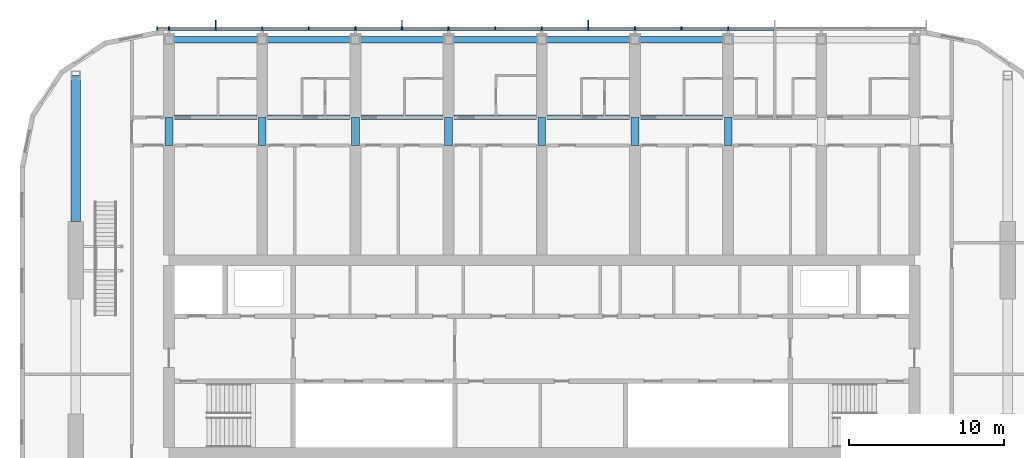
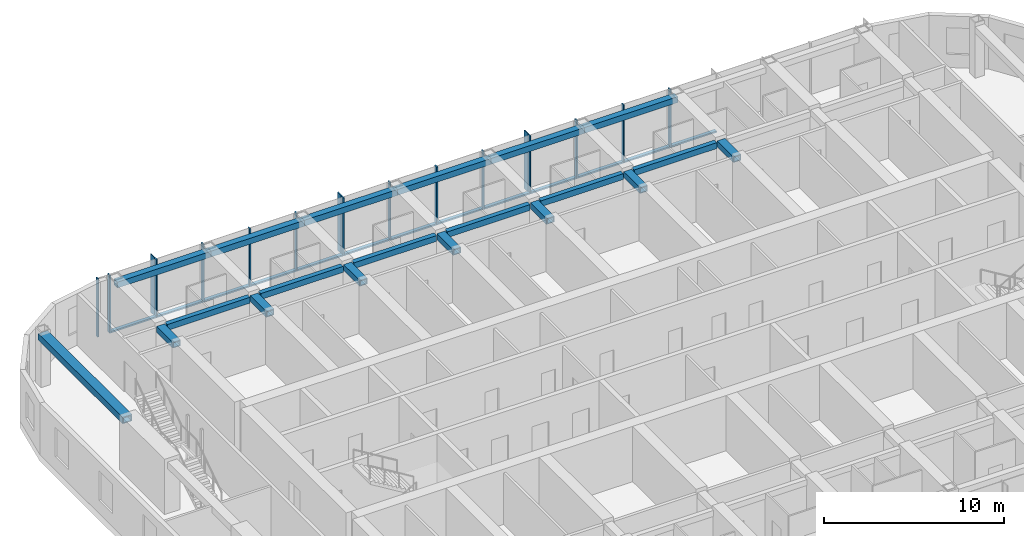
# One storey, part 6 of 28: 30 members, 20 beams, 1 element without a shape of its own.
"""IFC4 building model written with IfcOpenShell, lengths in metres."""

from ifc_helpers import new_model, si_unit, direction, frame, origin, origin_2d, place, context, subcontext, project, spatial, rectangle, hollow_rectangle, extrude, material, material_profile, profile_set, type_object, element, aggregate, save


model = new_model("IFC4")

# Units and contexts
model_context = context("Model", 3, precision=1e-05, world=origin(), true_north=direction((0.0, 1.0)))
body_context = subcontext(model_context, "Body", "Model", "MODEL_VIEW")
ifc_project = project(units=[si_unit("LENGTHUNIT", "METRE"), si_unit("AREAUNIT", "SQUARE_METRE"), si_unit("VOLUMEUNIT", "CUBIC_METRE"), si_unit("PLANEANGLEUNIT", "RADIAN"), si_unit("MASSUNIT", "GRAM", prefix="KILO")], contexts=[model_context])

# Site, building, storey
site_placement = place(None, origin())
site = spatial("IfcSite", under=ifc_project, at=site_placement, CompositionType="ELEMENT")
building_placement = place(site_placement, origin())
building = spatial("IfcBuilding", under=site, at=building_placement, Name="Orbita Commons", CompositionType="ELEMENT")
storey_placement = place(building_placement, frame((0.0, 0.0, 216.550048828125)))
storey = spatial("IfcBuildingStorey", under=building, at=storey_placement, Name="L53", CompositionType="ELEMENT", Elevation=216.550048828125)

# Curtain wall, members
ifc_material_1 = material(Name="Anodised aluminium frame, pale silver", Category="aluminium")
curtain_wall_type = type_object("IfcCurtainWallType", Name="Unitised curtain wall CW-U, full-height vision", PredefinedType="NOTDEFINED", material=ifc_material_1)
curtain_wall_placement = place(storey_placement, origin())
curtain_wall = element("IfcCurtainWall", 1, at=curtain_wall_placement, inside=storey, type_object=curtain_wall_type, Name="Curtain wall north L53", PredefinedType="NOTDEFINED")
ifc_material_2 = material(Name="Anodised aluminium, pale silver", Category="aluminium")
ifc_material_profile_1 = material_profile(ifc_material_2, rectangle(XDim=0.080078125, YDim=0.219970703125, at=origin_2d()), Name="AL 80x220")
ifc_profile_set_1 = profile_set([ifc_material_profile_1], Name="Anodised aluminium, pale silver")
member_type_1 = type_object("IfcMemberType", Name="Curtain wall mullion 80x220", PredefinedType="MULLION", material=ifc_profile_set_1)
member_1_placement = place(storey_placement, frame((54.0, 53.110107421875, -0.449951171875), z_axis=(0.0, 0.0, 1.0), x_axis=(-1.0, 0.0, 0.0)))
member_1 = element("IfcMember", 2, at=member_1_placement, type_object=member_type_1, Name="Mullion 6 CW-L53-N", PredefinedType="MULLION", context=body_context, shape_type="SweptSolid", body=[
    extrude(rectangle(XDim=0.080078125, YDim=0.219970703125, at=origin_2d()), origin(), (0.0, 0.0, 1.0), 3.949951171875),
])
member_2_placement = place(storey_placement, frame((51.0, 53.110107421875, -0.449951171875), z_axis=(0.0, 0.0, 1.0), x_axis=(-1.0, 0.0, 0.0)))
member_2 = element("IfcMember", 3, at=member_2_placement, type_object=member_type_1, Name="Mullion 7 CW-L53-N", PredefinedType="MULLION", context=body_context, shape_type="SweptSolid", body=[
    extrude(rectangle(XDim=0.080078125, YDim=0.219970703125, at=origin_2d()), origin(), (0.0, 0.0, 1.0), 3.949951171875),
])
member_3_placement = place(storey_placement, frame((48.0, 53.110107421875, -0.449951171875), z_axis=(0.0, 0.0, 1.0), x_axis=(-1.0, 0.0, 0.0)))
member_3 = element("IfcMember", 4, at=member_3_placement, type_object=member_type_1, Name="Mullion 8 CW-L53-N", PredefinedType="MULLION", context=body_context, shape_type="SweptSolid", body=[
    extrude(rectangle(XDim=0.080078125, YDim=0.219970703125, at=origin_2d()), origin(), (0.0, 0.0, 1.0), 3.949951171875),
])
member_4_placement = place(storey_placement, frame((45.0, 53.110107421875, -0.449951171875), z_axis=(0.0, 0.0, 1.0), x_axis=(-1.0, 0.0, 0.0)))
member_4 = element("IfcMember", 5, at=member_4_placement, type_object=member_type_1, Name="Mullion 9 CW-L53-N", PredefinedType="MULLION", context=body_context, shape_type="SweptSolid", body=[
    extrude(rectangle(XDim=0.080078125, YDim=0.219970703125, at=origin_2d()), origin(), (0.0, 0.0, 1.0), 3.949951171875),
])
member_5_placement = place(storey_placement, frame((42.0, 53.110107421875, -0.449951171875), z_axis=(0.0, 0.0, 1.0), x_axis=(-1.0, 0.0, 0.0)))
member_5 = element("IfcMember", 6, at=member_5_placement, type_object=member_type_1, Name="Mullion 10 CW-L53-N", PredefinedType="MULLION", context=body_context, shape_type="SweptSolid", body=[
    extrude(rectangle(XDim=0.080078125, YDim=0.219970703125, at=origin_2d()), origin(), (0.0, 0.0, 1.0), 3.949951171875),
])
member_6_placement = place(storey_placement, frame((39.0, 53.110107421875, -0.449951171875), z_axis=(0.0, 0.0, 1.0), x_axis=(-1.0, 0.0, 0.0)))
member_6 = element("IfcMember", 7, at=member_6_placement, type_object=member_type_1, Name="Mullion 11 CW-L53-N", PredefinedType="MULLION", context=body_context, shape_type="SweptSolid", body=[
    extrude(rectangle(XDim=0.080078125, YDim=0.219970703125, at=origin_2d()), origin(), (0.0, 0.0, 1.0), 3.949951171875),
])
member_7_placement = place(storey_placement, frame((36.0, 53.110107421875, -0.449951171875), z_axis=(0.0, 0.0, 1.0), x_axis=(-1.0, 0.0, 0.0)))
member_7 = element("IfcMember", 8, at=member_7_placement, type_object=member_type_1, Name="Mullion 12 CW-L53-N", PredefinedType="MULLION", context=body_context, shape_type="SweptSolid", body=[
    extrude(rectangle(XDim=0.080078125, YDim=0.219970703125, at=origin_2d()), origin(), (0.0, 0.0, 1.0), 3.949951171875),
])
member_8_placement = place(storey_placement, frame((33.0, 53.110107421875, -0.449951171875), z_axis=(0.0, 0.0, 1.0), x_axis=(-1.0, 0.0, 0.0)))
member_8 = element("IfcMember", 9, at=member_8_placement, type_object=member_type_1, Name="Mullion 13 CW-L53-N", PredefinedType="MULLION", context=body_context, shape_type="SweptSolid", body=[
    extrude(rectangle(XDim=0.080078125, YDim=0.219970703125, at=origin_2d()), origin(), (0.0, 0.0, 1.0), 3.949951171875),
])
member_9_placement = place(storey_placement, frame((30.0, 53.110107421875, -0.449951171875), z_axis=(0.0, 0.0, 1.0), x_axis=(-1.0, 0.0, 0.0)))
member_9 = element("IfcMember", 10, at=member_9_placement, type_object=member_type_1, Name="Mullion 14 CW-L53-N", PredefinedType="MULLION", context=body_context, shape_type="SweptSolid", body=[
    extrude(rectangle(XDim=0.080078125, YDim=0.219970703125, at=origin_2d()), origin(), (0.0, 0.0, 1.0), 3.949951171875),
])
member_10_placement = place(storey_placement, frame((27.0, 53.110107421875, -0.449951171875), z_axis=(0.0, 0.0, 1.0), x_axis=(-1.0, 0.0, 0.0)))
member_10 = element("IfcMember", 11, at=member_10_placement, type_object=member_type_1, Name="Mullion 15 CW-L53-N", PredefinedType="MULLION", context=body_context, shape_type="SweptSolid", body=[
    extrude(rectangle(XDim=0.080078125, YDim=0.219970703125, at=origin_2d()), origin(), (0.0, 0.0, 1.0), 3.949951171875),
])
member_11_placement = place(storey_placement, frame((24.0, 53.110107421875, -0.449951171875), z_axis=(0.0, 0.0, 1.0), x_axis=(-1.0, 0.0, 0.0)))
member_11 = element("IfcMember", 12, at=member_11_placement, type_object=member_type_1, Name="Mullion 16 CW-L53-N", PredefinedType="MULLION", context=body_context, shape_type="SweptSolid", body=[
    extrude(rectangle(XDim=0.080078125, YDim=0.219970703125, at=origin_2d()), origin(), (0.0, 0.0, 1.0), 3.949951171875),
])
member_12_placement = place(storey_placement, frame((21.0, 53.110107421875, -0.449951171875), z_axis=(0.0, 0.0, 1.0), x_axis=(-1.0, 0.0, 0.0)))
member_12 = element("IfcMember", 13, at=member_12_placement, type_object=member_type_1, Name="Mullion 17 CW-L53-N", PredefinedType="MULLION", context=body_context, shape_type="SweptSolid", body=[
    extrude(rectangle(XDim=0.080078125, YDim=0.219970703125, at=origin_2d()), origin(), (0.0, 0.0, 1.0), 3.949951171875),
])
member_13_placement = place(storey_placement, frame((18.0, 53.110107421875, -0.449951171875), z_axis=(0.0, 0.0, 1.0), x_axis=(-1.0, 0.0, 0.0)))
member_13 = element("IfcMember", 14, at=member_13_placement, type_object=member_type_1, Name="Mullion 18 CW-L53-N", PredefinedType="MULLION", context=body_context, shape_type="SweptSolid", body=[
    extrude(rectangle(XDim=0.080078125, YDim=0.219970703125, at=origin_2d()), origin(), (0.0, 0.0, 1.0), 3.949951171875),
])
member_14_placement = place(storey_placement, frame((17.239990234375, 53.110107421875, -0.449951171875), z_axis=(0.0, 0.0, 1.0), x_axis=(-1.0, 0.0, 0.0)))
member_14 = element("IfcMember", 15, at=member_14_placement, type_object=member_type_1, Name="Mullion 19 CW-L53-N", PredefinedType="MULLION", context=body_context, shape_type="SweptSolid", body=[
    extrude(rectangle(XDim=0.080078125, YDim=0.219970703125, at=origin_2d()), origin(), (0.0, 0.0, 1.0), 3.949951171875),
])
ifc_material_3 = material(Name="Anodised aluminium, pale silver", Category="aluminium")
ifc_material_profile_2 = material_profile(ifc_material_3, rectangle(XDim=0.219970703125, YDim=0.10009765625, at=origin_2d()), Name="AL 220x100")
ifc_profile_set_2 = profile_set([ifc_material_profile_2], Name="Anodised aluminium, pale silver")
member_type_2 = type_object("IfcMemberType", Name="Curtain wall stack transom 220x100", PredefinedType="USERDEFINED", material=ifc_profile_set_2)
member_15_placement = place(storey_placement, frame((56.9599609375, 53.110107421875, -0.400146484375), z_axis=(-1.0, 0.0, 0.0), x_axis=(0.0, -1.0, 0.0)))
member_15 = element("IfcMember", 16, at=member_15_placement, type_object=member_type_2, Name="Transom 5.1 CW-L53-N", ObjectType="TRANSOM", PredefinedType="USERDEFINED", context=body_context, shape_type="SweptSolid", body=[
    extrude(rectangle(XDim=0.219970703125, YDim=0.10009765625, at=origin_2d()), origin(), (0.0, 0.0, 1.0), 2.919921875),
])
member_16_placement = place(storey_placement, frame((53.9599609375, 53.110107421875, -0.400146484375), z_axis=(-1.0, 0.0, 0.0), x_axis=(0.0, -1.0, 0.0)))
member_16 = element("IfcMember", 17, at=member_16_placement, type_object=member_type_2, Name="Transom 6.1 CW-L53-N", ObjectType="TRANSOM", PredefinedType="USERDEFINED", context=body_context, shape_type="SweptSolid", body=[
    extrude(rectangle(XDim=0.219970703125, YDim=0.10009765625, at=origin_2d()), origin(), (0.0, 0.0, 1.0), 2.919921875),
])
member_17_placement = place(storey_placement, frame((50.9599609375, 53.110107421875, -0.400146484375), z_axis=(-1.0, 0.0, 0.0), x_axis=(0.0, -1.0, 0.0)))
member_17 = element("IfcMember", 18, at=member_17_placement, type_object=member_type_2, Name="Transom 7.1 CW-L53-N", ObjectType="TRANSOM", PredefinedType="USERDEFINED", context=body_context, shape_type="SweptSolid", body=[
    extrude(rectangle(XDim=0.219970703125, YDim=0.10009765625, at=origin_2d()), origin(), (0.0, 0.0, 1.0), 2.919921875),
])
member_18_placement = place(storey_placement, frame((47.9599609375, 53.110107421875, -0.400146484375), z_axis=(-1.0, 0.0, 0.0), x_axis=(0.0, -1.0, 0.0)))
member_18 = element("IfcMember", 19, at=member_18_placement, type_object=member_type_2, Name="Transom 8.1 CW-L53-N", ObjectType="TRANSOM", PredefinedType="USERDEFINED", context=body_context, shape_type="SweptSolid", body=[
    extrude(rectangle(XDim=0.219970703125, YDim=0.10009765625, at=origin_2d()), origin(), (0.0, 0.0, 1.0), 2.919921875),
])
member_19_placement = place(storey_placement, frame((44.9599609375, 53.110107421875, -0.400146484375), z_axis=(-1.0, 0.0, 0.0), x_axis=(0.0, -1.0, 0.0)))
member_19 = element("IfcMember", 20, at=member_19_placement, type_object=member_type_2, Name="Transom 9.1 CW-L53-N", ObjectType="TRANSOM", PredefinedType="USERDEFINED", context=body_context, shape_type="SweptSolid", body=[
    extrude(rectangle(XDim=0.219970703125, YDim=0.10009765625, at=origin_2d()), origin(), (0.0, 0.0, 1.0), 2.919921875),
])
member_20_placement = place(storey_placement, frame((41.9599609375, 53.110107421875, -0.400146484375), z_axis=(-1.0, 0.0, 0.0), x_axis=(0.0, -1.0, 0.0)))
member_20 = element("IfcMember", 21, at=member_20_placement, type_object=member_type_2, Name="Transom 10.1 CW-L53-N", ObjectType="TRANSOM", PredefinedType="USERDEFINED", context=body_context, shape_type="SweptSolid", body=[
    extrude(rectangle(XDim=0.219970703125, YDim=0.10009765625, at=origin_2d()), origin(), (0.0, 0.0, 1.0), 2.919921875),
])
member_21_placement = place(storey_placement, frame((38.9599609375, 53.110107421875, -0.400146484375), z_axis=(-1.0, 0.0, 0.0), x_axis=(0.0, -1.0, 0.0)))
member_21 = element("IfcMember", 22, at=member_21_placement, type_object=member_type_2, Name="Transom 11.1 CW-L53-N", ObjectType="TRANSOM", PredefinedType="USERDEFINED", context=body_context, shape_type="SweptSolid", body=[
    extrude(rectangle(XDim=0.219970703125, YDim=0.10009765625, at=origin_2d()), origin(), (0.0, 0.0, 1.0), 2.919921875),
])
member_22_placement = place(storey_placement, frame((35.9599609375, 53.110107421875, -0.400146484375), z_axis=(-1.0, 0.0, 0.0), x_axis=(0.0, -1.0, 0.0)))
member_22 = element("IfcMember", 23, at=member_22_placement, type_object=member_type_2, Name="Transom 12.1 CW-L53-N", ObjectType="TRANSOM", PredefinedType="USERDEFINED", context=body_context, shape_type="SweptSolid", body=[
    extrude(rectangle(XDim=0.219970703125, YDim=0.10009765625, at=origin_2d()), origin(), (0.0, 0.0, 1.0), 2.919921875),
])
member_23_placement = place(storey_placement, frame((32.9599609375, 53.110107421875, -0.400146484375), z_axis=(-1.0, 0.0, 0.0), x_axis=(0.0, -1.0, 0.0)))
member_23 = element("IfcMember", 24, at=member_23_placement, type_object=member_type_2, Name="Transom 13.1 CW-L53-N", ObjectType="TRANSOM", PredefinedType="USERDEFINED", context=body_context, shape_type="SweptSolid", body=[
    extrude(rectangle(XDim=0.219970703125, YDim=0.10009765625, at=origin_2d()), origin(), (0.0, 0.0, 1.0), 2.919921875),
])
member_24_placement = place(storey_placement, frame((29.9599609375, 53.110107421875, -0.400146484375), z_axis=(-1.0, 0.0, 0.0), x_axis=(0.0, -1.0, 0.0)))
member_24 = element("IfcMember", 25, at=member_24_placement, type_object=member_type_2, Name="Transom 14.1 CW-L53-N", ObjectType="TRANSOM", PredefinedType="USERDEFINED", context=body_context, shape_type="SweptSolid", body=[
    extrude(rectangle(XDim=0.219970703125, YDim=0.10009765625, at=origin_2d()), origin(), (0.0, 0.0, 1.0), 2.919921875),
])
member_25_placement = place(storey_placement, frame((26.9599609375, 53.110107421875, -0.400146484375), z_axis=(-1.0, 0.0, 0.0), x_axis=(0.0, -1.0, 0.0)))
member_25 = element("IfcMember", 26, at=member_25_placement, type_object=member_type_2, Name="Transom 15.1 CW-L53-N", ObjectType="TRANSOM", PredefinedType="USERDEFINED", context=body_context, shape_type="SweptSolid", body=[
    extrude(rectangle(XDim=0.219970703125, YDim=0.10009765625, at=origin_2d()), origin(), (0.0, 0.0, 1.0), 2.919921875),
])
member_26_placement = place(storey_placement, frame((23.9599609375, 53.110107421875, -0.400146484375), z_axis=(-1.0, 0.0, 0.0), x_axis=(0.0, -1.0, 0.0)))
member_26 = element("IfcMember", 27, at=member_26_placement, type_object=member_type_2, Name="Transom 16.1 CW-L53-N", ObjectType="TRANSOM", PredefinedType="USERDEFINED", context=body_context, shape_type="SweptSolid", body=[
    extrude(rectangle(XDim=0.219970703125, YDim=0.10009765625, at=origin_2d()), origin(), (0.0, 0.0, 1.0), 2.919921875),
])
member_27_placement = place(storey_placement, frame((20.9599609375, 53.110107421875, -0.400146484375), z_axis=(-1.0, 0.0, 0.0), x_axis=(0.0, -1.0, 0.0)))
member_27 = element("IfcMember", 28, at=member_27_placement, type_object=member_type_2, Name="Transom 17.1 CW-L53-N", ObjectType="TRANSOM", PredefinedType="USERDEFINED", context=body_context, shape_type="SweptSolid", body=[
    extrude(rectangle(XDim=0.219970703125, YDim=0.10009765625, at=origin_2d()), origin(), (0.0, 0.0, 1.0), 2.919921875),
])

# Beams
ifc_material_4 = material(Name="Steel ASTM A572 Gr 50 welded plate", Category="steel")
ifc_material_profile_3 = material_profile(ifc_material_4, hollow_rectangle(XDim=0.300048828125, YDim=0.39990234375, WallThickness=0.0400390625, at=origin_2d()), Name="BOX 400x300x40")
ifc_profile_set_3 = profile_set([ifc_material_profile_3], Name="Steel ASTM A572 Gr 50 welded plate")
beam_type_1 = type_object("IfcBeamType", Name="Steel corridor link BOX 400x300x40", PredefinedType="BEAM", material=ifc_profile_set_3)
for number, where, z_axis, x_axis, name in (
    (29, (18.35009765625, 47.39990234375, 3.300048828125), (1.0, 0.0, 0.0), (0.0, 1.0, 0.0), "Corridor beam NB 4-5 L53"),
    (30, (24.35009765625, 47.39990234375, 3.300048828125), (1.0, 0.0, 0.0), (0.0, 1.0, 0.0), "Corridor beam NB 5-6 L53"),
    (31, (30.35009765625, 47.39990234375, 3.300048828125), (1.0, 0.0, 0.0), (0.0, 1.0, 0.0), "Corridor beam NB 6-7 L53"),
    (32, (36.35009765625, 47.39990234375, 3.300048828125), (1.0, 0.0, 0.0), (0.0, 1.0, 0.0), "Corridor beam NB 7-8 L53"),
    (33, (42.35009765625, 47.39990234375, 3.300048828125), (1.0, 0.0, 0.0), (0.0, 1.0, 0.0), "Corridor beam NB 8-9 L53"),
    (34, (48.35009765625, 47.39990234375, 3.300048828125), (1.0, 0.0, 0.0), (0.0, 1.0, 0.0), "Corridor beam NB 9-10 L53"),
):
    element("IfcBeam", number, at=place(storey_placement, frame(where, z_axis=z_axis, x_axis=x_axis)), inside=storey, type_object=beam_type_1, Name=name, PredefinedType="BEAM", context=body_context, shape_type="SweptSolid", body=[
        extrude(hollow_rectangle(XDim=0.300048828125, YDim=0.39990234375, WallThickness=0.0400390625, at=origin_2d()), origin(), (0.0, 0.0, 1.0), 5.2998046875),
    ])
ifc_material_5 = material(Name="Steel ASTM A572 Gr 50 welded plate", Category="steel")
ifc_material_profile_4 = material_profile(ifc_material_5, hollow_rectangle(XDim=0.5, YDim=0.39990234375, WallThickness=0.050048828125, at=origin_2d()), Name="BOX 400x500x50")
ifc_profile_set_4 = profile_set([ifc_material_profile_4], Name="Steel ASTM A572 Gr 50 welded plate")
beam_type_2 = type_object("IfcBeamType", Name="Steel coupling link BOX 400x500x50", PredefinedType="LINTEL", material=ifc_profile_set_4)
for number, where, z_axis, x_axis, name in (
    (35, (18.0, 45.60009765625, 3.300048828125), (0.0, 1.0, 0.0), (-1.0, 0.0, 0.0), "Coupling beam 4 north L53"),
    (36, (24.0, 45.60009765625, 3.300048828125), (0.0, 1.0, 0.0), (-1.0, 0.0, 0.0), "Coupling beam 5 north L53"),
    (37, (30.0, 45.60009765625, 3.300048828125), (0.0, 1.0, 0.0), (-1.0, 0.0, 0.0), "Coupling beam 6 north L53"),
    (38, (36.0, 45.60009765625, 3.300048828125), (0.0, 1.0, 0.0), (-1.0, 0.0, 0.0), "Coupling beam 7 north L53"),
    (39, (42.0, 45.60009765625, 3.300048828125), (0.0, 1.0, 0.0), (-1.0, 0.0, 0.0), "Coupling beam 8 north L53"),
    (40, (48.0, 45.60009765625, 3.300048828125), (0.0, 1.0, 0.0), (-1.0, 0.0, 0.0), "Coupling beam 9 north L53"),
    (41, (54.0, 45.60009765625, 3.300048828125), (0.0, 1.0, 0.0), (-1.0, 0.0, 0.0), "Coupling beam 10 north L53"),
):
    element("IfcBeam", number, at=place(storey_placement, frame(where, z_axis=z_axis, x_axis=x_axis)), inside=storey, type_object=beam_type_2, Name=name, PredefinedType="LINTEL", context=body_context, shape_type="SweptSolid", body=[
        extrude(hollow_rectangle(XDim=0.5, YDim=0.39990234375, WallThickness=0.050048828125, at=origin_2d()), origin(), (0.0, 0.0, 1.0), 1.7998046875),
    ])
ifc_material_6 = material(Name="Steel ASTM A572 Gr 50 welded plate", Category="steel")
ifc_material_profile_5 = material_profile(ifc_material_6, hollow_rectangle(XDim=0.60009765625, YDim=0.449951171875, WallThickness=0.06005859375, at=origin_2d()), Name="BOX 450x600x60")
ifc_profile_set_5 = profile_set([ifc_material_profile_5], Name="Steel ASTM A572 Gr 50 welded plate")
beam_type_3 = type_object("IfcBeamType", Name="Steel end frame link BOX 450x600x60", PredefinedType="BEAM", material=ifc_profile_set_5)
beam_placement = place(storey_placement, frame((12.0, 40.699951171875, 3.27490234375), z_axis=(0.0, 1.0, 0.0), x_axis=(-1.0, 0.0, 0.0)))
element("IfcBeam", 42, at=beam_placement, inside=storey, type_object=beam_type_3, Name="End frame beam 3 D-E L53", PredefinedType="BEAM", context=body_context, shape_type="SweptSolid", body=[
    extrude(hollow_rectangle(XDim=0.60009765625, YDim=0.449951171875, WallThickness=0.06005859375, at=origin_2d()), origin(), (0.0, 0.0, 1.0), 9.400146484375),
])
ifc_material_7 = material(Name="Steel ASTM A572 Gr 50 welded plate", Category="steel")
ifc_material_profile_6 = material_profile(ifc_material_7, hollow_rectangle(XDim=0.39990234375, YDim=0.39990234375, WallThickness=0.0400390625, at=origin_2d()), Name="BOX 400x400x40")
ifc_profile_set_6 = profile_set([ifc_material_profile_6], Name="Steel ASTM A572 Gr 50 welded plate")
beam_type_4 = type_object("IfcBeamType", Name="Steel spandrel BOX 400x400x40", PredefinedType="SPANDREL", material=ifc_profile_set_6)
for number, where, z_axis, x_axis, name in (
    (43, (18.0, 52.39990234375, 3.300048828125), (1.0, 0.0, 0.0), (0.0, 1.0, 0.0), "Spandrel beam E 4-5 L53"),
    (44, (24.0, 52.39990234375, 3.300048828125), (1.0, 0.0, 0.0), (0.0, 1.0, 0.0), "Spandrel beam E 5-6 L53"),
    (45, (30.0, 52.39990234375, 3.300048828125), (1.0, 0.0, 0.0), (0.0, 1.0, 0.0), "Spandrel beam E 6-7 L53"),
    (46, (36.0, 52.39990234375, 3.300048828125), (1.0, 0.0, 0.0), (0.0, 1.0, 0.0), "Spandrel beam E 7-8 L53"),
    (47, (42.0, 52.39990234375, 3.300048828125), (1.0, 0.0, 0.0), (0.0, 1.0, 0.0), "Spandrel beam E 8-9 L53"),
    (48, (48.0, 52.39990234375, 3.300048828125), (1.0, 0.0, 0.0), (0.0, 1.0, 0.0), "Spandrel beam E 9-10 L53"),
):
    element("IfcBeam", number, at=place(storey_placement, frame(where, z_axis=z_axis, x_axis=x_axis)), inside=storey, type_object=beam_type_4, Name=name, PredefinedType="SPANDREL", context=body_context, shape_type="SweptSolid", body=[
        extrude(hollow_rectangle(XDim=0.39990234375, YDim=0.39990234375, WallThickness=0.0400390625, at=origin_2d()), origin(), (0.0, 0.0, 1.0), 6.0),
    ])

# Member
ifc_material_8 = material(Name="Anodised aluminium, pale silver", Category="aluminium")
ifc_material_profile_7 = material_profile(ifc_material_8, rectangle(XDim=0.06005859375, YDim=0.449951171875, at=origin_2d()), Name="FIN 60x450")
ifc_profile_set_7 = profile_set([ifc_material_profile_7], Name="Anodised aluminium, pale silver")
member_type_3 = type_object("IfcMemberType", Name="Vertical fin 60x450 pale aluminium", PredefinedType="USERDEFINED", material=ifc_profile_set_7)
member_28_placement = place(storey_placement, frame((45.0, 53.445068359375, -0.449951171875), z_axis=(0.0, 0.0, 1.0), x_axis=(-1.0, 0.0, 0.0)))
member_28 = element("IfcMember", 49, at=member_28_placement, type_object=member_type_3, Name="Fin 9 CW-L53-N", ObjectType="FIN", PredefinedType="USERDEFINED", context=body_context, shape_type="SweptSolid", body=[
    extrude(rectangle(XDim=0.06005859375, YDim=0.449951171875, at=origin_2d()), origin(), (0.0, 0.0, 1.0), 3.949951171875),
])

member_29_placement = place(storey_placement, frame((33.0, 53.445068359375, -0.449951171875), z_axis=(0.0, 0.0, 1.0), x_axis=(-1.0, 0.0, 0.0)))
member_29 = element("IfcMember", 50, at=member_29_placement, type_object=member_type_3, Name="Fin 13 CW-L53-N", ObjectType="FIN", PredefinedType="USERDEFINED", context=body_context, shape_type="SweptSolid", body=[
    extrude(rectangle(XDim=0.06005859375, YDim=0.449951171875, at=origin_2d()), origin(), (0.0, 0.0, 1.0), 3.949951171875),
])

member_30_placement = place(storey_placement, frame((21.0, 53.445068359375, -0.449951171875), z_axis=(0.0, 0.0, 1.0), x_axis=(-1.0, 0.0, 0.0)))
member_30 = element("IfcMember", 51, at=member_30_placement, type_object=member_type_3, Name="Fin 17 CW-L53-N", ObjectType="FIN", PredefinedType="USERDEFINED", context=body_context, shape_type="SweptSolid", body=[
    extrude(rectangle(XDim=0.06005859375, YDim=0.449951171875, at=origin_2d()), origin(), (0.0, 0.0, 1.0), 3.949951171875),
])

aggregate(curtain_wall, [member_1, member_2, member_3, member_4, member_28, member_5, member_6, member_7, member_8, member_29, member_9, member_10, member_11, member_12, member_30, member_13, member_14, member_15, member_16, member_17, member_18, member_19, member_20, member_21, member_22, member_23, member_24, member_25, member_26, member_27])

save(model, "model.ifc")
